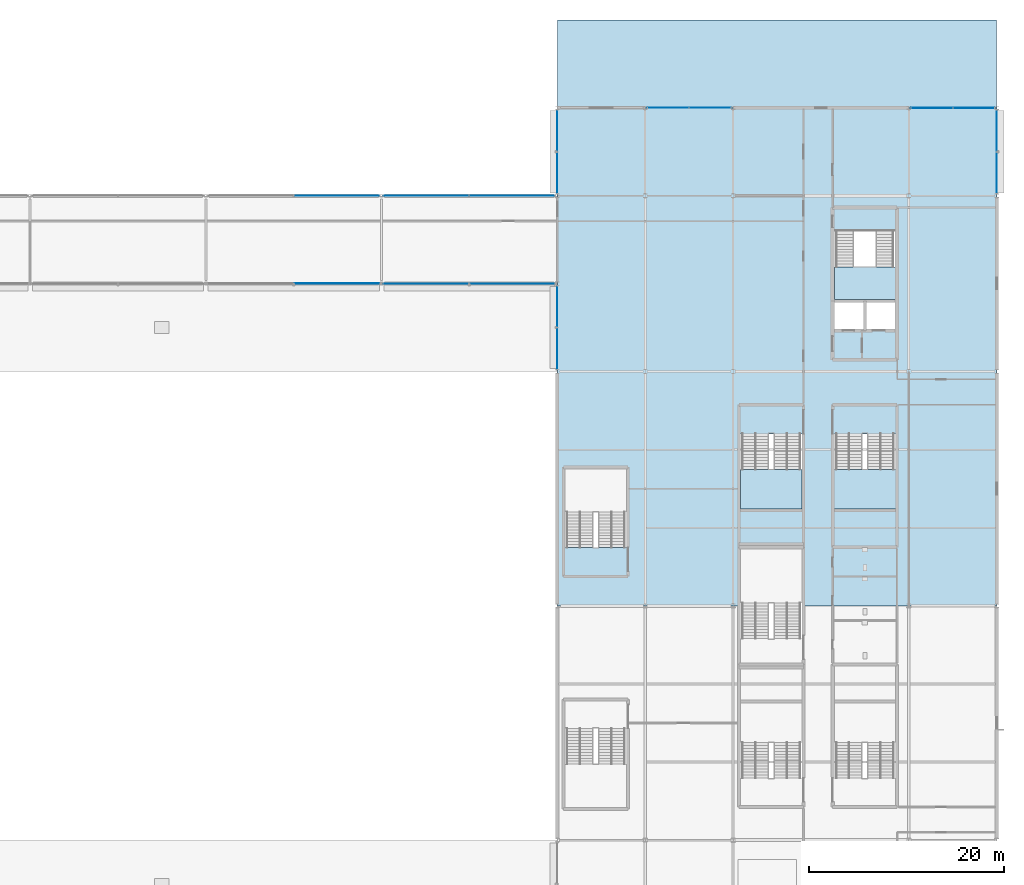
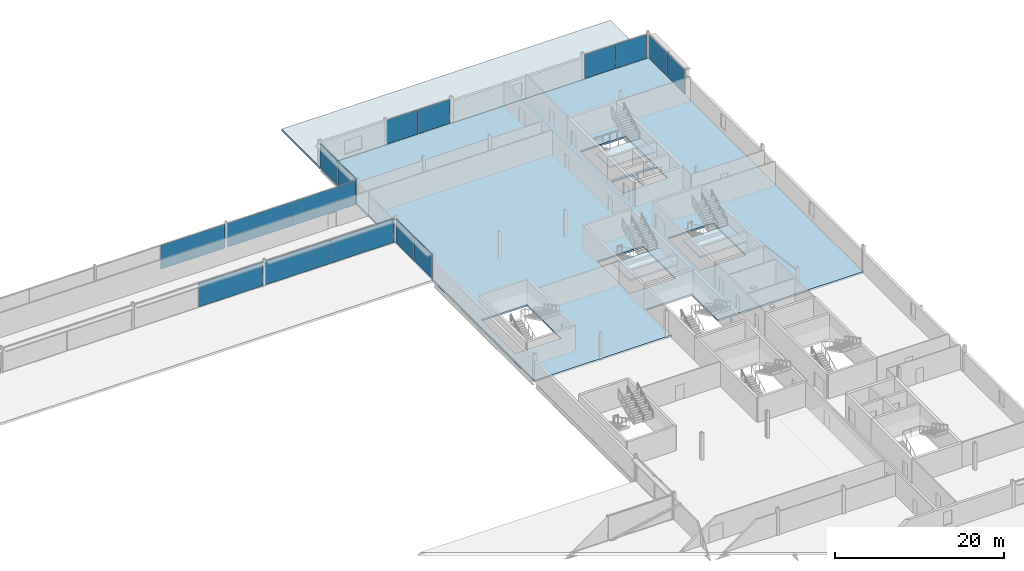
# One storey, part 59 of 105: 16 plates, 5 slabs, 12 elements without a shape of their own.
"""IFC4 building model written with IfcOpenShell, lengths in metres."""

from ifc_helpers import new_model, si_unit, direction, frame, origin, origin_2d, place, context, subcontext, project, spatial, polyline, rectangle, outline, extrude, material, layer, layer_set, type_object, element, aggregate, save


model = new_model("IFC4")

# Units and contexts
model_context = context("Model", 3, precision=1e-05, world=origin(), true_north=direction((0.0, 1.0)))
body_context = subcontext(model_context, "Body", "Model", "MODEL_VIEW")
ifc_project = project(units=[si_unit("LENGTHUNIT", "METRE"), si_unit("AREAUNIT", "SQUARE_METRE"), si_unit("VOLUMEUNIT", "CUBIC_METRE"), si_unit("PLANEANGLEUNIT", "RADIAN"), si_unit("MASSUNIT", "GRAM", prefix="KILO")], contexts=[model_context])

# Site, building, storey
site_placement = place(None, origin())
site = spatial("IfcSite", under=ifc_project, at=site_placement, CompositionType="ELEMENT")
building_placement = place(site_placement, origin())
building = spatial("IfcBuilding", under=site, at=building_placement, Name="Kisiwana Market Hall", CompositionType="ELEMENT")
storey_placement = place(building_placement, frame((0.0, 0.0, 21.60009765625)))
storey = spatial("IfcBuildingStorey", under=building, at=storey_placement, Name="L04", CompositionType="ELEMENT", Elevation=21.60009765625)

# Curtain wall, plates
ifc_material_1 = material(Name="Double-glazed solar-control low-E IGU", Category="glass")
ifc_layer_1 = layer(ifc_material_1, 0.159912109375)
ifc_layer_set_1 = layer_set([ifc_layer_1], Name="CW-ZNA-EW-8200")
curtain_wall_type = type_object("IfcCurtainWallType", Name="CW-ZNA-EW-8200", PredefinedType="USERDEFINED", material=ifc_layer_set_1)
curtain_wall_1_placement = place(storey_placement, origin())
curtain_wall_1 = element("IfcCurtainWall", 1, at=curtain_wall_1_placement, inside=storey, type_object=curtain_wall_type, Name="Unitised curtain wall CW-109 (L04)", ObjectType="UNITISED CURTAIN WALL", PredefinedType="USERDEFINED")
ifc_material_2 = material(Name="Double-glazed solar-control low-E IGU", Category="glass")
ifc_layer_2 = layer(ifc_material_2, 0.02392578125)
ifc_layer_set_2 = layer_set([ifc_layer_2], Name="PL-IGU-24")
plate_type_1 = type_object("IfcPlateType", Name="PL-IGU-24", PredefinedType="CURTAIN_PANEL", material=ifc_layer_set_2)
plate_1_placement = place(storey_placement, frame((139.562255859375, 93.0, 0.06005859375), z_axis=(0.0, 0.0, 1.0), x_axis=(1.0, 0.0, 0.0)))
plate_1 = element("IfcPlate", 2, at=plate_1_placement, type_object=plate_type_1, Name="CW-109 panel 1.1", PredefinedType="CURTAIN_PANEL", context=body_context, shape_type="SweptSolid", body=[
    extrude(rectangle(XDim=8.75439453125, YDim=0.02392578125, at=origin_2d()), origin(), (0.0, 0.0, 1.0), 3.465087890625),
])
plate_2_placement = place(storey_placement, frame((148.37646484375, 93.0, 0.06005859375), z_axis=(0.0, 0.0, 1.0), x_axis=(1.0, 0.0, 0.0)))
plate_2 = element("IfcPlate", 3, at=plate_2_placement, type_object=plate_type_1, Name="CW-109 panel 2.1", PredefinedType="CURTAIN_PANEL", context=body_context, shape_type="SweptSolid", body=[
    extrude(rectangle(XDim=8.75439453125, YDim=0.02392578125, at=origin_2d()), origin(), (0.0, 0.0, 1.0), 3.465087890625),
])
aggregate(curtain_wall_1, [plate_1, plate_2])

curtain_wall_2_placement = place(storey_placement, origin())
curtain_wall_2 = element("IfcCurtainWall", 4, at=curtain_wall_2_placement, inside=storey, type_object=curtain_wall_type, Name="Unitised curtain wall CW-115 (L04)", ObjectType="UNITISED CURTAIN WALL", PredefinedType="USERDEFINED")
plate_3_placement = place(storey_placement, frame((139.562255859375, 102.0, 0.06005859375), z_axis=(0.0, 0.0, 1.0), x_axis=(1.0, 0.0, 0.0)))
plate_3 = element("IfcPlate", 5, at=plate_3_placement, type_object=plate_type_1, Name="CW-115 panel 1.1", PredefinedType="CURTAIN_PANEL", context=body_context, shape_type="SweptSolid", body=[
    extrude(rectangle(XDim=8.75439453125, YDim=0.02392578125, at=origin_2d()), origin(), (0.0, 0.0, 1.0), 3.465087890625),
])
plate_4_placement = place(storey_placement, frame((148.37646484375, 102.0, 0.06005859375), z_axis=(0.0, 0.0, 1.0), x_axis=(1.0, 0.0, 0.0)))
plate_4 = element("IfcPlate", 6, at=plate_4_placement, type_object=plate_type_1, Name="CW-115 panel 2.1", PredefinedType="CURTAIN_PANEL", context=body_context, shape_type="SweptSolid", body=[
    extrude(rectangle(XDim=8.75439453125, YDim=0.02392578125, at=origin_2d()), origin(), (0.0, 0.0, 1.0), 3.465087890625),
])
aggregate(curtain_wall_2, [plate_3, plate_4])

curtain_wall_3_placement = place(storey_placement, origin())
curtain_wall_3 = element("IfcCurtainWall", 7, at=curtain_wall_3_placement, inside=storey, type_object=curtain_wall_type, Name="Unitised curtain wall CW-117 (L04)", ObjectType="UNITISED CURTAIN WALL", PredefinedType="USERDEFINED")
plate_5_placement = place(storey_placement, frame((164.35546875, 111.0, 0.06005859375), z_axis=(0.0, 0.0, 1.0), x_axis=(1.0, 0.0, 0.0)))
plate_5 = element("IfcPlate", 8, at=plate_5_placement, type_object=plate_type_1, Name="CW-117 panel 1.1", PredefinedType="CURTAIN_PANEL", context=body_context, shape_type="SweptSolid", body=[
    extrude(rectangle(XDim=4.21826171875, YDim=0.02392578125, at=origin_2d()), origin(), (0.0, 0.0, 1.0), 3.465087890625),
])
plate_6_placement = place(storey_placement, frame((168.633544921875, 111.0, 0.06005859375), z_axis=(0.0, 0.0, 1.0), x_axis=(1.0, 0.0, 0.0)))
plate_6 = element("IfcPlate", 9, at=plate_6_placement, type_object=plate_type_1, Name="CW-117 panel 2.1", PredefinedType="CURTAIN_PANEL", context=body_context, shape_type="SweptSolid", body=[
    extrude(rectangle(XDim=4.21826171875, YDim=0.02392578125, at=origin_2d()), origin(), (0.0, 0.0, 1.0), 3.465087890625),
])
aggregate(curtain_wall_3, [plate_5, plate_6])

curtain_wall_4_placement = place(storey_placement, origin())
curtain_wall_4 = element("IfcCurtainWall", 10, at=curtain_wall_4_placement, inside=storey, type_object=curtain_wall_type, Name="Unitised curtain wall CW-127 (L04)", ObjectType="UNITISED CURTAIN WALL", PredefinedType="USERDEFINED")
plate_7_placement = place(storey_placement, frame((153.0, 104.35693359375, 0.06005859375), z_axis=(0.0, 0.0, 1.0), x_axis=(0.0, 1.0, 0.0)))
plate_7 = element("IfcPlate", 11, at=plate_7_placement, type_object=plate_type_1, Name="CW-127 panel 1.1", PredefinedType="CURTAIN_PANEL", context=body_context, shape_type="SweptSolid", body=[
    extrude(rectangle(XDim=4.225830078125, YDim=0.02392578125, at=origin_2d()), origin(), (0.0, 0.0, 1.0), 3.465087890625),
])
plate_8_placement = place(storey_placement, frame((153.0, 108.64306640625, 0.06005859375), z_axis=(0.0, 0.0, 1.0), x_axis=(0.0, 1.0, 0.0)))
plate_8 = element("IfcPlate", 12, at=plate_8_placement, type_object=plate_type_1, Name="CW-127 panel 2.1", PredefinedType="CURTAIN_PANEL", context=body_context, shape_type="SweptSolid", body=[
    extrude(rectangle(XDim=4.225830078125, YDim=0.02392578125, at=origin_2d()), origin(), (0.0, 0.0, 1.0), 3.465087890625),
])
aggregate(curtain_wall_4, [plate_7, plate_8])

# Curtain wall, plate
curtain_wall_5_placement = place(storey_placement, origin())
curtain_wall_5 = element("IfcCurtainWall", 13, at=curtain_wall_5_placement, inside=storey, type_object=curtain_wall_type, Name="Unitised curtain wall CW-108 (L04)", ObjectType="UNITISED CURTAIN WALL", PredefinedType="USERDEFINED")
ifc_material_3 = material(Name="Double-glazed acoustic laminated IGU", Category="glass")
ifc_layer_3 = layer(ifc_material_3, 0.028076171875)
ifc_layer_set_3 = layer_set([ifc_layer_3], Name="PL-IGU-28")
plate_type_2 = type_object("IfcPlateType", Name="PL-IGU-28", PredefinedType="CURTAIN_PANEL", material=ifc_layer_set_3)
plate_9_placement = place(storey_placement, frame((130.422607421875, 93.0, 0.06005859375), z_axis=(0.0, 0.0, 1.0), x_axis=(1.0, 0.0, 0.0)))
plate_9 = element("IfcPlate", 14, at=plate_9_placement, type_object=plate_type_2, Name="CW-108 panel 2.1", PredefinedType="CURTAIN_PANEL", context=body_context, shape_type="SweptSolid", body=[
    extrude(rectangle(XDim=8.784912109375, YDim=0.028076171875, at=origin_2d()), origin(), (0.0, 0.0, 1.0), 3.465087890625),
])
aggregate(curtain_wall_5, [plate_9])

curtain_wall_6_placement = place(storey_placement, origin())
curtain_wall_6 = element("IfcCurtainWall", 15, at=curtain_wall_6_placement, inside=storey, type_object=curtain_wall_type, Name="Unitised curtain wall CW-114 (L04)", ObjectType="UNITISED CURTAIN WALL", PredefinedType="USERDEFINED")
plate_10_placement = place(storey_placement, frame((130.422607421875, 102.0, 0.06005859375), z_axis=(0.0, 0.0, 1.0), x_axis=(1.0, 0.0, 0.0)))
plate_10 = element("IfcPlate", 16, at=plate_10_placement, type_object=plate_type_2, Name="CW-114 panel 2.1", PredefinedType="CURTAIN_PANEL", context=body_context, shape_type="SweptSolid", body=[
    extrude(rectangle(XDim=8.784912109375, YDim=0.028076171875, at=origin_2d()), origin(), (0.0, 0.0, 1.0), 3.465087890625),
])
aggregate(curtain_wall_6, [plate_10])

# Curtain wall, plates
curtain_wall_7_placement = place(storey_placement, origin())
curtain_wall_7 = element("IfcCurtainWall", 17, at=curtain_wall_7_placement, inside=storey, type_object=curtain_wall_type, Name="Unitised curtain wall CW-118 (L04)", ObjectType="UNITISED CURTAIN WALL", PredefinedType="USERDEFINED")
plate_11_placement = place(storey_placement, frame((191.366455078125, 111.0, 0.06005859375), z_axis=(0.0, 0.0, 1.0), x_axis=(1.0, 0.0, 0.0)))
plate_11 = element("IfcPlate", 18, at=plate_11_placement, type_object=plate_type_2, Name="CW-118 panel 1.1", PredefinedType="CURTAIN_PANEL", context=body_context, shape_type="SweptSolid", body=[
    extrude(rectangle(XDim=4.21826171875, YDim=0.028076171875, at=origin_2d()), origin(), (0.0, 0.0, 1.0), 3.465087890625),
])
plate_12_placement = place(storey_placement, frame((195.64453125, 111.0, 0.06005859375), z_axis=(0.0, 0.0, 1.0), x_axis=(1.0, 0.0, 0.0)))
plate_12 = element("IfcPlate", 19, at=plate_12_placement, type_object=plate_type_2, Name="CW-118 panel 2.1", PredefinedType="CURTAIN_PANEL", context=body_context, shape_type="SweptSolid", body=[
    extrude(rectangle(XDim=4.21826171875, YDim=0.028076171875, at=origin_2d()), origin(), (0.0, 0.0, 1.0), 3.465087890625),
])
aggregate(curtain_wall_7, [plate_11, plate_12])

curtain_wall_8_placement = place(storey_placement, origin())
curtain_wall_8 = element("IfcCurtainWall", 20, at=curtain_wall_8_placement, inside=storey, type_object=curtain_wall_type, Name="Unitised curtain wall CW-126 (L04)", ObjectType="UNITISED CURTAIN WALL", PredefinedType="USERDEFINED")
plate_13_placement = place(storey_placement, frame((153.0, 86.35693359375, 0.06005859375), z_axis=(0.0, 0.0, 1.0), x_axis=(0.0, 1.0, 0.0)))
plate_13 = element("IfcPlate", 21, at=plate_13_placement, type_object=plate_type_2, Name="CW-126 panel 1.1", PredefinedType="CURTAIN_PANEL", context=body_context, shape_type="SweptSolid", body=[
    extrude(rectangle(XDim=4.225830078125, YDim=0.028076171875, at=origin_2d()), origin(), (0.0, 0.0, 1.0), 3.465087890625),
])
plate_14_placement = place(storey_placement, frame((153.0, 90.64306640625, 0.06005859375), z_axis=(0.0, 0.0, 1.0), x_axis=(0.0, 1.0, 0.0)))
plate_14 = element("IfcPlate", 22, at=plate_14_placement, type_object=plate_type_2, Name="CW-126 panel 2.1", PredefinedType="CURTAIN_PANEL", context=body_context, shape_type="SweptSolid", body=[
    extrude(rectangle(XDim=4.225830078125, YDim=0.028076171875, at=origin_2d()), origin(), (0.0, 0.0, 1.0), 3.465087890625),
])
aggregate(curtain_wall_8, [plate_13, plate_14])

curtain_wall_9_placement = place(storey_placement, origin())
curtain_wall_9 = element("IfcCurtainWall", 23, at=curtain_wall_9_placement, inside=storey, type_object=curtain_wall_type, Name="Unitised curtain wall CW-128 (L04)", ObjectType="UNITISED CURTAIN WALL", PredefinedType="USERDEFINED")
plate_15_placement = place(storey_placement, frame((198.0, 104.35693359375, 0.06005859375), z_axis=(0.0, 0.0, 1.0), x_axis=(0.0, 1.0, 0.0)))
plate_15 = element("IfcPlate", 24, at=plate_15_placement, type_object=plate_type_2, Name="CW-128 panel 1.1", PredefinedType="CURTAIN_PANEL", context=body_context, shape_type="SweptSolid", body=[
    extrude(rectangle(XDim=4.225830078125, YDim=0.028076171875, at=origin_2d()), origin(), (0.0, 0.0, 1.0), 3.465087890625),
])
plate_16_placement = place(storey_placement, frame((198.0, 108.64306640625, 0.06005859375), z_axis=(0.0, 0.0, 1.0), x_axis=(0.0, 1.0, 0.0)))
plate_16 = element("IfcPlate", 25, at=plate_16_placement, type_object=plate_type_2, Name="CW-128 panel 2.1", PredefinedType="CURTAIN_PANEL", context=body_context, shape_type="SweptSolid", body=[
    extrude(rectangle(XDim=4.225830078125, YDim=0.028076171875, at=origin_2d()), origin(), (0.0, 0.0, 1.0), 3.465087890625),
])
aggregate(curtain_wall_9, [plate_15, plate_16])

# Stair, slab
ifc_material_4 = material(Name="Concrete C32/40", Category="concrete")
stair_type_1 = type_object("IfcStairType", Name="ST-TWR-3900", PredefinedType="TWO_STRAIGHT_RUN_STAIR", material=ifc_material_4)
stair_1_placement = place(storey_placement, origin())
stair_1 = element("IfcStair", 26, at=stair_1_placement, inside=storey, type_object=stair_type_1, Name="Escape stair ST-E1-L04", PredefinedType="TWO_STRAIGHT_RUN_STAIR")
ifc_material_5 = material(Name="Concrete C32/40", Category="concrete")
ifc_layer_4 = layer(ifc_material_5, 0.239990234375)
ifc_layer_set_4 = layer_set([ifc_layer_4], Name="SL-LANDING-160")
slab_type_1 = type_object("IfcSlabType", Name="SL-LANDING-160", PredefinedType="LANDING", material=ifc_layer_set_4)
slab_1_placement = place(storey_placement, frame((0.0, 0.0, 1.7099609375)))
slab_1 = element("IfcSlab", 27, at=slab_1_placement, type_object=slab_type_1, Name="ST-E1-L04 landing 1 S-232", PredefinedType="LANDING", context=body_context, shape_type="SweptSolid", body=[
    extrude(outline(polyline([(181.3798828125, 91.3798828125), (187.6201171875, 91.3798828125), (187.6201171875, 94.69091796875), (181.3798828125, 94.69091796875), (181.3798828125, 91.3798828125)])), origin(), (0.0, 0.0, 1.0), 0.239990234375),
])
aggregate(stair_1, [slab_1])

ifc_material_6 = material(Name="Concrete C32/40", Category="concrete")
stair_type_2 = type_object("IfcStairType", Name="ST-ESC-3900", PredefinedType="TWO_STRAIGHT_RUN_STAIR", material=ifc_material_6)
stair_2_placement = place(storey_placement, origin())
stair_2 = element("IfcStair", 28, at=stair_2_placement, inside=storey, type_object=stair_type_2, Name="Escape stair ST-E4-L04", PredefinedType="TWO_STRAIGHT_RUN_STAIR")
slab_2_placement = place(storey_placement, frame((0.0, 0.0, 1.7099609375)))
slab_2 = element("IfcSlab", 29, at=slab_2_placement, type_object=slab_type_1, Name="ST-E4-L04 landing 1 S-236", PredefinedType="LANDING", context=body_context, shape_type="SweptSolid", body=[
    extrude(outline(polyline([(181.340087890625, 69.93994140625), (187.659912109375, 69.93994140625), (187.659912109375, 73.98046875), (181.340087890625, 73.98046875), (181.340087890625, 69.93994140625)])), origin(), (0.0, 0.0, 1.0), 0.239990234375),
])
aggregate(stair_2, [slab_2])

stair_3_placement = place(storey_placement, origin())
stair_3 = element("IfcStair", 30, at=stair_3_placement, inside=storey, type_object=stair_type_2, Name="Escape stair ST-E8-L04", PredefinedType="TWO_STRAIGHT_RUN_STAIR")
slab_3_placement = place(storey_placement, frame((0.0, 0.0, 1.7099609375)))
slab_3 = element("IfcSlab", 31, at=slab_3_placement, type_object=slab_type_1, Name="ST-E8-L04 landing 1 S-239", PredefinedType="LANDING", context=body_context, shape_type="SweptSolid", body=[
    extrude(outline(polyline([(171.739990234375, 69.93994140625), (178.06005859375, 69.93994140625), (178.06005859375, 73.98046875), (171.739990234375, 73.98046875), (171.739990234375, 69.93994140625)])), origin(), (0.0, 0.0, 1.0), 0.239990234375),
])
aggregate(stair_3, [slab_3])

# Slabs
ifc_material_7 = material(Name="Concrete C32/40", Category="concrete")
ifc_layer_5 = layer(ifc_material_7, 0.2451171875)
ifc_layer_set_5 = layer_set([ifc_layer_5], Name="SL-OFF-175")
slab_type_2 = type_object("IfcSlabType", Name="SL-OFF-175", PredefinedType="FLOOR", material=ifc_layer_set_5)
slab_4_placement = place(storey_placement, frame((0.0, 0.0, -0.2451171875)))
element("IfcSlab", 32, at=slab_4_placement, inside=storey, type_object=slab_type_2, Name="Structural slab S-227", PredefinedType="FLOOR", context=body_context, shape_type="SweptSolid", body=[
    extrude(outline(polyline([(153.0, 60.0), (171.760009765625, 60.0), (171.760009765625, 66.159912109375), (178.0400390625, 66.159912109375), (178.0400390625, 60.0), (198.0, 60.0), (198.0, 111.0), (153.0, 111.0), (153.0, 60.0)]), holes=[polyline([(181.39990234375, 91.39990234375), (187.60009765625, 91.39990234375), (187.60009765625, 98.35009765625), (181.39990234375, 98.35009765625), (181.39990234375, 91.39990234375)]), polyline([(181.39990234375, 88.35009765625), (184.340087890625, 88.35009765625), (184.340087890625, 91.080078125), (181.39990234375, 91.080078125), (181.39990234375, 88.35009765625)]), polyline([(184.659912109375, 88.35009765625), (187.60009765625, 88.35009765625), (187.60009765625, 91.080078125), (184.659912109375, 91.080078125), (184.659912109375, 88.35009765625)]), polyline([(181.360107421875, 69.9599609375), (187.639892578125, 69.9599609375), (187.639892578125, 77.6201171875), (181.360107421875, 77.6201171875), (181.360107421875, 69.9599609375)]), polyline([(171.760009765625, 69.9599609375), (178.0400390625, 69.9599609375), (178.0400390625, 77.6201171875), (171.760009765625, 77.6201171875), (171.760009765625, 69.9599609375)]), polyline([(153.7900390625, 65.97998046875), (160.070068359375, 65.97998046875), (160.070068359375, 74.0400390625), (153.7900390625, 74.0400390625), (153.7900390625, 65.97998046875)])]), origin(), (0.0, 0.0, 1.0), 0.2451171875),
])
ifc_material_8 = material(Name="Concrete C32/40", Category="concrete")
ifc_layer_6 = layer(ifc_material_8, 0.2919921875)
ifc_layer_set_6 = layer_set([ifc_layer_6], Name="SL-POD-ROOF-210")
slab_type_3 = type_object("IfcSlabType", Name="SL-POD-ROOF-210", PredefinedType="ROOF", material=ifc_layer_set_6)
slab_5_placement = place(storey_placement, frame((0.0, 0.0, -0.2919921875)))
element("IfcSlab", 33, at=slab_5_placement, inside=storey, type_object=slab_type_3, Name="Structural roof slab S-218", PredefinedType="ROOF", context=body_context, shape_type="SweptSolid", body=[
    extrude(outline(polyline([(153.0, 111.0), (198.0, 111.0), (198.0, 120.0), (153.0, 120.0), (153.0, 111.0)])), origin(), (0.0, 0.0, 1.0), 0.2919921875),
])

save(model, "model.ifc")
